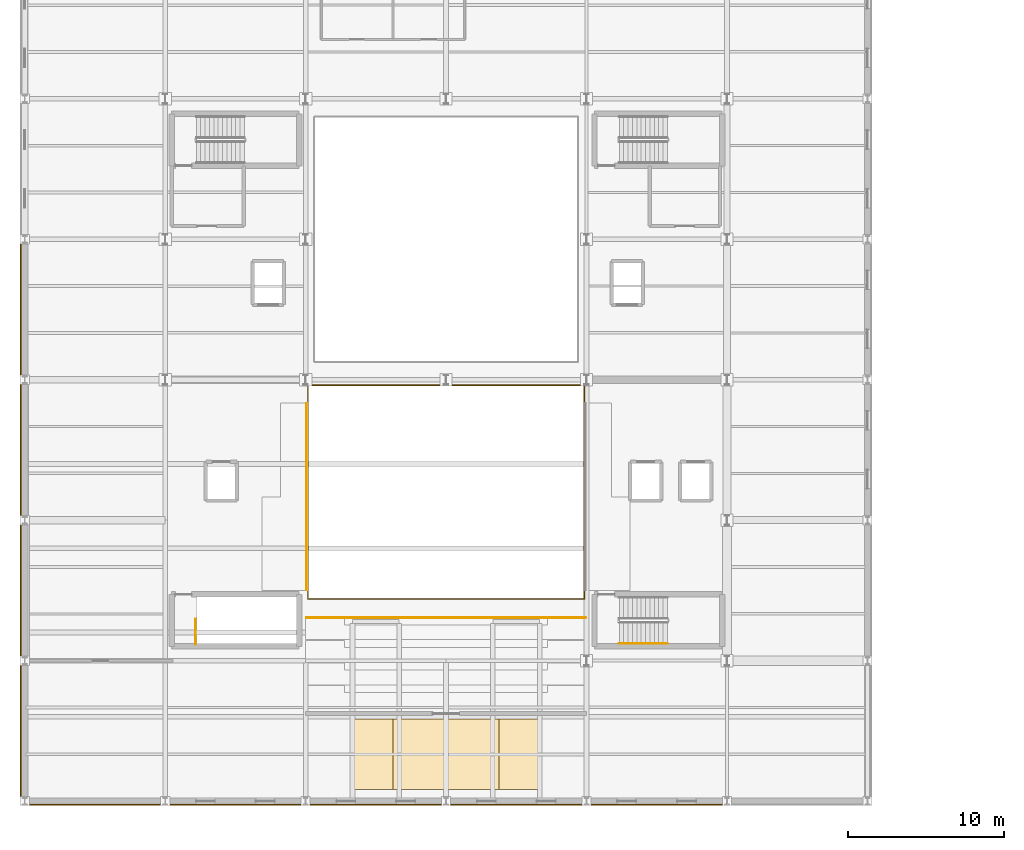
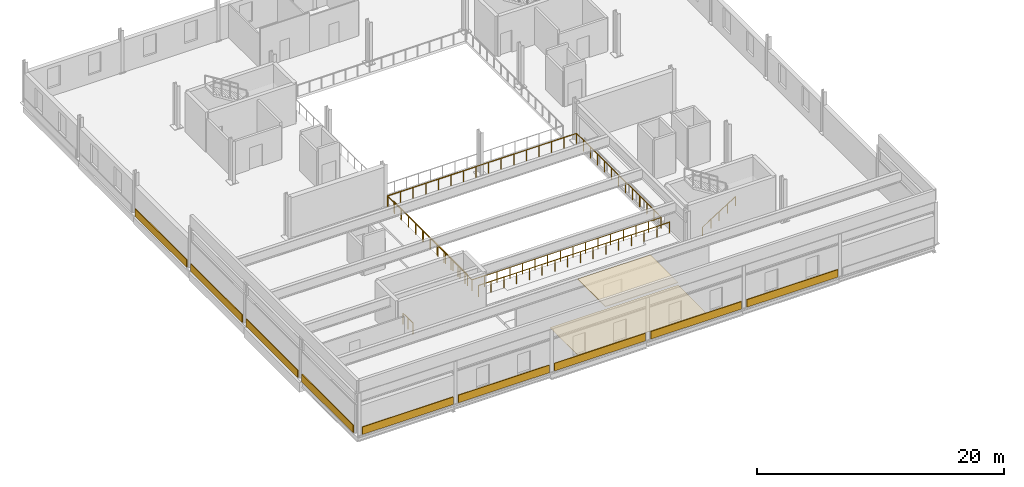
# One storey, part 12 of 17: 11 coverings, 6 railings.
"""IFC4 building model written with IfcOpenShell, lengths in metres."""

from ifc_helpers import new_model, si_unit, direction, frame, origin, origin_2d, place, context, subcontext, project, spatial, rectangle, circle, extrude, material, layer, layer_set, type_object, element, save


model = new_model("IFC4")

# Units and contexts
model_context = context("Model", 3, precision=1e-05, world=origin(), true_north=direction((0.0, 1.0)))
body_context = subcontext(model_context, "Body", "Model", "MODEL_VIEW")
ifc_project = project(units=[si_unit("LENGTHUNIT", "METRE"), si_unit("AREAUNIT", "SQUARE_METRE"), si_unit("VOLUMEUNIT", "CUBIC_METRE"), si_unit("PLANEANGLEUNIT", "RADIAN"), si_unit("MASSUNIT", "GRAM", prefix="KILO")], contexts=[model_context])

# Site, building, storey
site_placement = place(None, origin())
site = spatial("IfcSite", under=ifc_project, at=site_placement, CompositionType="ELEMENT")
building_placement = place(site_placement, origin())
building = spatial("IfcBuilding", under=site, at=building_placement, Name="Sundgate Opera House", CompositionType="ELEMENT")
storey_placement = place(building_placement, frame((0.0, 0.0, 26.39990234375)))
storey = spatial("IfcBuildingStorey", under=building, at=storey_placement, Name="L05", CompositionType="ELEMENT", Elevation=26.39990234375)

# Coverings
ifc_material_1 = material(Name="Suspended timber acoustic baffle ceiling", Category="wood")
ifc_layer_1 = layer(ifc_material_1, 0.06005859375)
ifc_layer_set_1 = layer_set([ifc_layer_1], Name="Suspended timber acoustic baffle ceiling")
covering_type_1 = type_object("IfcCoveringType", Name="CV-CEIL-BAFFLE", PredefinedType="CEILING", material=ifc_layer_set_1)
covering_1_placement = place(storey_placement, frame((54.0, 36.0, 3.880126953125), z_axis=(0.0, 0.0, 1.0), x_axis=(1.0, 0.0, 0.0)))
element("IfcCovering", 1, at=covering_1_placement, inside=storey, type_object=covering_type_1, Name="L05 Acoustic Ceiling CV0135", PredefinedType="CEILING", context=body_context, shape_type="SweptSolid", body=[
    extrude(rectangle(XDim=6.800048828125, YDim=4.5, at=origin_2d()), origin(), (0.0, 0.0, 1.0), 0.06005859375),
])
ifc_material_2 = material(Name="Polished Scanian marble terrazzo flooring", Category="masonry")
ifc_layer_2 = layer(ifc_material_2, 0.02490234375)
ifc_layer_set_2 = layer_set([ifc_layer_2], Name="Polished Scanian marble terrazzo flooring")
covering_type_2 = type_object("IfcCoveringType", Name="CV-FLR-TERRAZZO", PredefinedType="FLOORING", material=ifc_layer_set_2)
covering_2_placement = place(storey_placement, frame((54.0, 36.0, 0.000244140625), z_axis=(0.0, 0.0, 1.0), x_axis=(1.0, 0.0, 0.0)))
element("IfcCovering", 2, at=covering_2_placement, inside=storey, type_object=covering_type_2, Name="L05 Floor Finish CV0147", PredefinedType="FLOORING", context=body_context, shape_type="SweptSolid", body=[
    extrude(rectangle(XDim=12.0, YDim=4.5, at=origin_2d()), origin(), (0.0, 0.0, 1.0), 0.02490234375),
])
ifc_material_3 = material(Name="Deep-carved Komstad limestone relief panel", Category="masonry")
ifc_layer_3 = layer(ifc_material_3, 0.094970703125)
ifc_layer_set_3 = layer_set([ifc_layer_3], Name="Deep-carved Komstad limestone relief panel")
covering_type_3 = type_object("IfcCoveringType", Name="CV-TRENC-DEEP", PredefinedType="CLADDING", material=ifc_layer_set_3)
for number, where, z_axis, x_axis, name in (
    (3, (40.5, 32.757568359375, 0.045166015625), (0.0, 0.0, 1.0), (1.0, 0.0, 0.0), "L05 Trencadis 750mm Relief Band CV0075"),
    (4, (67.5, 32.757568359375, 0.045166015625), (0.0, 0.0, 1.0), (1.0, 0.0, 0.0), "L05 Trencadis 750mm Relief Band CV0081"),
):
    element("IfcCovering", number, at=place(storey_placement, frame(where, z_axis=z_axis, x_axis=x_axis)), inside=storey, type_object=covering_type_3, Name=name, PredefinedType="CLADDING", context=body_context, shape_type="SweptSolid", body=[
        extrude(rectangle(XDim=8.510009765625, YDim=0.074951171875, at=origin_2d()), origin(), (0.0, 0.0, 1.0), 0.75),
    ])
covering_3_placement = place(storey_placement, frame((26.757568359375, 46.5, 0.045166015625), z_axis=(0.0, 0.0, 1.0), x_axis=(0.0, 1.0, 0.0)))
element("IfcCovering", 5, at=covering_3_placement, inside=storey, type_object=covering_type_3, Name="L05 Trencadis 750mm Relief Band CV0087", PredefinedType="CLADDING", context=body_context, shape_type="SweptSolid", body=[
    extrude(rectangle(XDim=8.360107421875, YDim=0.074951171875, at=origin_2d()), origin(), (0.0, 0.0, 1.0), 0.75),
])
ifc_material_4 = material(Name="Frost-proof vitrified stoneware trencadis relief tile", Category="masonry")
ifc_layer_4 = layer(ifc_material_4, 0.074951171875)
ifc_layer_set_4 = layer_set([ifc_layer_4], Name="Frost-proof vitrified stoneware trencadis relief tile")
covering_type_4 = type_object("IfcCoveringType", Name="CV-TRENC-RELIEF", PredefinedType="CLADDING", material=ifc_layer_set_4)
for number, where, z_axis, x_axis, name in (
    (6, (31.5, 32.757568359375, 0.045166015625), (0.0, 0.0, 1.0), (1.0, 0.0, 0.0), "L05 Trencadis 750mm Relief Band CV0073"),
    (7, (58.5, 32.757568359375, 0.045166015625), (0.0, 0.0, 1.0), (1.0, 0.0, 0.0), "L05 Trencadis 750mm Relief Band CV0079"),
):
    element("IfcCovering", number, at=place(storey_placement, frame(where, z_axis=z_axis, x_axis=x_axis)), inside=storey, type_object=covering_type_4, Name=name, PredefinedType="CLADDING", context=body_context, shape_type="SweptSolid", body=[
        extrude(rectangle(XDim=8.510009765625, YDim=0.074951171875, at=origin_2d()), origin(), (0.0, 0.0, 1.0), 0.75),
    ])
for number, where, z_axis, x_axis, name in (
    (8, (26.757568359375, 37.5, 0.045166015625), (0.0, 0.0, 1.0), (0.0, 1.0, 0.0), "L05 Trencadis 750mm Relief Band CV0085"),
    (9, (26.757568359375, 64.5, 0.045166015625), (0.0, 0.0, 1.0), (0.0, 1.0, 0.0), "L05 Trencadis 750mm Relief Band CV0091"),
):
    element("IfcCovering", number, at=place(storey_placement, frame(where, z_axis=z_axis, x_axis=x_axis)), inside=storey, type_object=covering_type_4, Name=name, PredefinedType="CLADDING", context=body_context, shape_type="SweptSolid", body=[
        extrude(rectangle(XDim=8.360107421875, YDim=0.074951171875, at=origin_2d()), origin(), (0.0, 0.0, 1.0), 0.75),
    ])
ifc_material_5 = material(Name="Polychrome trencadis mosaic panel", Category="masonry")
ifc_layer_5 = layer(ifc_material_5, 0.054931640625)
ifc_layer_set_5 = layer_set([ifc_layer_5], Name="Polychrome trencadis mosaic panel")
covering_type_5 = type_object("IfcCoveringType", Name="CV-TRENC-SLIM", PredefinedType="CLADDING", material=ifc_layer_set_5)
covering_4_placement = place(storey_placement, frame((49.5, 32.757568359375, 0.045166015625), z_axis=(0.0, 0.0, 1.0), x_axis=(1.0, 0.0, 0.0)))
element("IfcCovering", 10, at=covering_4_placement, inside=storey, type_object=covering_type_5, Name="L05 Trencadis 750mm Relief Band CV0077", PredefinedType="CLADDING", context=body_context, shape_type="SweptSolid", body=[
    extrude(rectangle(XDim=8.510009765625, YDim=0.074951171875, at=origin_2d()), origin(), (0.0, 0.0, 1.0), 0.75),
])
covering_5_placement = place(storey_placement, frame((26.757568359375, 55.5, 0.045166015625), z_axis=(0.0, 0.0, 1.0), x_axis=(0.0, 1.0, 0.0)))
element("IfcCovering", 11, at=covering_5_placement, inside=storey, type_object=covering_type_5, Name="L05 Trencadis 750mm Relief Band CV0089", PredefinedType="CLADDING", context=body_context, shape_type="SweptSolid", body=[
    extrude(rectangle(XDim=8.360107421875, YDim=0.074951171875, at=origin_2d()), origin(), (0.0, 0.0, 1.0), 0.75),
])

# Railings
ifc_material_6 = material(Name="Patinated bronze forja metalwork", Category="steel")
railing_type_1 = type_object("IfcRailingType", Name="RL-FORJA-BAL-1100", PredefinedType="BALUSTRADE", material=ifc_material_6)
railing_1_placement = place(storey_placement, frame((45.14990234375, 59.64990234375, 0.0)))
element("IfcRailing", 12, at=railing_1_placement, inside=storey, type_object=railing_type_1, Name="L05 Interior Guardrail RL0309", PredefinedType="BALUSTRADE", context=body_context, shape_type="SweptSolid", body=[
    extrude(circle(Radius=0.02392578125, at=origin_2d()), frame((0.0, 0.0, 1.076171875), z_axis=(0.0, -1.0, 0.0), x_axis=(1.0, 0.0, 0.0)), (0.0, 0.0, 1.0), 13.699951171875),
    extrude(circle(Radius=0.02392578125, at=origin_2d()), frame((0.0, -13.699951171875, 1.076171875), z_axis=(1.0, 0.0, 0.0), x_axis=(0.0, 1.0, 0.0)), (0.0, 0.0, 1.0), 17.7001953125),
    extrude(circle(Radius=0.02099609375, at=origin_2d()), origin(), (0.0, 0.0, 1.0), 1.052001953125),
    extrude(circle(Radius=0.02099609375, at=origin_2d()), frame((0.0, -1.1416015625, 0.0)), (0.0, 0.0, 1.0), 1.052001953125),
    extrude(circle(Radius=0.02099609375, at=origin_2d()), frame((0.0, -2.283203125, 0.0)), (0.0, 0.0, 1.0), 1.052001953125),
    extrude(circle(Radius=0.02099609375, at=origin_2d()), frame((0.0, -3.425048828125, 0.0)), (0.0, 0.0, 1.0), 1.052001953125),
    extrude(circle(Radius=0.02099609375, at=origin_2d()), frame((0.0, -4.566650390625, 0.0)), (0.0, 0.0, 1.0), 1.052001953125),
    extrude(circle(Radius=0.02099609375, at=origin_2d()), frame((0.0, -5.708251953125, 0.0)), (0.0, 0.0, 1.0), 1.052001953125),
    extrude(circle(Radius=0.02099609375, at=origin_2d()), frame((0.0, -6.85009765625, 0.0)), (0.0, 0.0, 1.0), 1.052001953125),
    extrude(circle(Radius=0.02099609375, at=origin_2d()), frame((0.0, -7.99169921875, 0.0)), (0.0, 0.0, 1.0), 1.052001953125),
    extrude(circle(Radius=0.02099609375, at=origin_2d()), frame((0.0, -9.13330078125, 0.0)), (0.0, 0.0, 1.0), 1.052001953125),
    extrude(circle(Radius=0.02099609375, at=origin_2d()), frame((0.0, -10.27490234375, 0.0)), (0.0, 0.0, 1.0), 1.052001953125),
    extrude(circle(Radius=0.02099609375, at=origin_2d()), frame((0.0, -11.41650390625, 0.0)), (0.0, 0.0, 1.0), 1.052001953125),
    extrude(circle(Radius=0.02099609375, at=origin_2d()), frame((0.0, -12.558349609375, 0.0)), (0.0, 0.0, 1.0), 1.052001953125),
    extrude(circle(Radius=0.02099609375, at=origin_2d()), frame((0.0, -13.699951171875, 0.0)), (0.0, 0.0, 1.0), 1.052001953125),
    extrude(circle(Radius=0.02099609375, at=origin_2d()), frame((1.179931640625, -13.699951171875, 0.0)), (0.0, 0.0, 1.0), 1.052001953125),
    extrude(circle(Radius=0.02099609375, at=origin_2d()), frame((2.360107421875, -13.699951171875, 0.0)), (0.0, 0.0, 1.0), 1.052001953125),
    extrude(circle(Radius=0.02099609375, at=origin_2d()), frame((3.5400390625, -13.699951171875, 0.0)), (0.0, 0.0, 1.0), 1.052001953125),
    extrude(circle(Radius=0.02099609375, at=origin_2d()), frame((4.719970703125, -13.699951171875, 0.0)), (0.0, 0.0, 1.0), 1.052001953125),
    extrude(circle(Radius=0.02099609375, at=origin_2d()), frame((5.900146484375, -13.699951171875, 0.0)), (0.0, 0.0, 1.0), 1.052001953125),
    extrude(circle(Radius=0.02099609375, at=origin_2d()), frame((7.080078125, -13.699951171875, 0.0)), (0.0, 0.0, 1.0), 1.052001953125),
    extrude(circle(Radius=0.02099609375, at=origin_2d()), frame((8.260009765625, -13.699951171875, 0.0)), (0.0, 0.0, 1.0), 1.052001953125),
    extrude(circle(Radius=0.02099609375, at=origin_2d()), frame((9.440185546875, -13.699951171875, 0.0)), (0.0, 0.0, 1.0), 1.052001953125),
    extrude(circle(Radius=0.02099609375, at=origin_2d()), frame((10.6201171875, -13.699951171875, 0.0)), (0.0, 0.0, 1.0), 1.052001953125),
    extrude(circle(Radius=0.02099609375, at=origin_2d()), frame((11.800048828125, -13.699951171875, 0.0)), (0.0, 0.0, 1.0), 1.052001953125),
    extrude(circle(Radius=0.02099609375, at=origin_2d()), frame((12.980224609375, -13.699951171875, 0.0)), (0.0, 0.0, 1.0), 1.052001953125),
    extrude(circle(Radius=0.02099609375, at=origin_2d()), frame((14.16015625, -13.699951171875, 0.0)), (0.0, 0.0, 1.0), 1.052001953125),
    extrude(circle(Radius=0.02099609375, at=origin_2d()), frame((15.340087890625, -13.699951171875, 0.0)), (0.0, 0.0, 1.0), 1.052001953125),
    extrude(circle(Radius=0.02099609375, at=origin_2d()), frame((16.520263671875, -13.699951171875, 0.0)), (0.0, 0.0, 1.0), 1.052001953125),
    extrude(circle(Radius=0.02099609375, at=origin_2d()), frame((17.7001953125, -13.699951171875, 0.0)), (0.0, 0.0, 1.0), 1.052001953125),
])
railing_2_placement = place(storey_placement, frame((62.85009765625, 46.0, 0.0)))
element("IfcRailing", 13, at=railing_2_placement, inside=storey, type_object=railing_type_1, Name="L05 Interior Guardrail RL0310", PredefinedType="BALUSTRADE", context=body_context, shape_type="SweptSolid", body=[
    extrude(circle(Radius=0.02392578125, at=origin_2d()), frame((0.0, 0.0, 1.076171875), z_axis=(0.0, 1.0, 0.0), x_axis=(-1.0, 0.0, 0.0)), (0.0, 0.0, 1.0), 13.64990234375),
    extrude(circle(Radius=0.02392578125, at=origin_2d()), frame((0.0, 13.64990234375, 1.076171875), z_axis=(-1.0, 0.0, 0.0), x_axis=(0.0, -1.0, 0.0)), (0.0, 0.0, 1.0), 17.650146484375),
    extrude(circle(Radius=0.02099609375, at=origin_2d()), origin(), (0.0, 0.0, 1.0), 1.052001953125),
    extrude(circle(Radius=0.02099609375, at=origin_2d()), frame((0.0, 1.137451171875, 0.0)), (0.0, 0.0, 1.0), 1.052001953125),
    extrude(circle(Radius=0.02099609375, at=origin_2d()), frame((0.0, 2.27490234375, 0.0)), (0.0, 0.0, 1.0), 1.052001953125),
    extrude(circle(Radius=0.02099609375, at=origin_2d()), frame((0.0, 3.41259765625, 0.0)), (0.0, 0.0, 1.0), 1.052001953125),
    extrude(circle(Radius=0.02099609375, at=origin_2d()), frame((0.0, 4.550048828125, 0.0)), (0.0, 0.0, 1.0), 1.052001953125),
    extrude(circle(Radius=0.02099609375, at=origin_2d()), frame((0.0, 5.6875, 0.0)), (0.0, 0.0, 1.0), 1.052001953125),
    extrude(circle(Radius=0.02099609375, at=origin_2d()), frame((0.0, 6.824951171875, 0.0)), (0.0, 0.0, 1.0), 1.052001953125),
    extrude(circle(Radius=0.02099609375, at=origin_2d()), frame((0.0, 7.96240234375, 0.0)), (0.0, 0.0, 1.0), 1.052001953125),
    extrude(circle(Radius=0.02099609375, at=origin_2d()), frame((0.0, 9.099853515625, 0.0)), (0.0, 0.0, 1.0), 1.052001953125),
    extrude(circle(Radius=0.02099609375, at=origin_2d()), frame((0.0, 10.2373046875, 0.0)), (0.0, 0.0, 1.0), 1.052001953125),
    extrude(circle(Radius=0.02099609375, at=origin_2d()), frame((0.0, 11.375, 0.0)), (0.0, 0.0, 1.0), 1.052001953125),
    extrude(circle(Radius=0.02099609375, at=origin_2d()), frame((0.0, 12.512451171875, 0.0)), (0.0, 0.0, 1.0), 1.052001953125),
    extrude(circle(Radius=0.02099609375, at=origin_2d()), frame((0.0, 13.64990234375, 0.0)), (0.0, 0.0, 1.0), 1.052001953125),
    extrude(circle(Radius=0.02099609375, at=origin_2d()), frame((-1.1767578125, 13.64990234375, 0.0)), (0.0, 0.0, 1.0), 1.052001953125),
    extrude(circle(Radius=0.02099609375, at=origin_2d()), frame((-2.353271484375, 13.64990234375, 0.0)), (0.0, 0.0, 1.0), 1.052001953125),
    extrude(circle(Radius=0.02099609375, at=origin_2d()), frame((-3.530029296875, 13.64990234375, 0.0)), (0.0, 0.0, 1.0), 1.052001953125),
    extrude(circle(Radius=0.02099609375, at=origin_2d()), frame((-4.706787109375, 13.64990234375, 0.0)), (0.0, 0.0, 1.0), 1.052001953125),
    extrude(circle(Radius=0.02099609375, at=origin_2d()), frame((-5.88330078125, 13.64990234375, 0.0)), (0.0, 0.0, 1.0), 1.052001953125),
    extrude(circle(Radius=0.02099609375, at=origin_2d()), frame((-7.06005859375, 13.64990234375, 0.0)), (0.0, 0.0, 1.0), 1.052001953125),
    extrude(circle(Radius=0.02099609375, at=origin_2d()), frame((-8.23681640625, 13.64990234375, 0.0)), (0.0, 0.0, 1.0), 1.052001953125),
    extrude(circle(Radius=0.02099609375, at=origin_2d()), frame((-9.413330078125, 13.64990234375, 0.0)), (0.0, 0.0, 1.0), 1.052001953125),
    extrude(circle(Radius=0.02099609375, at=origin_2d()), frame((-10.590087890625, 13.64990234375, 0.0)), (0.0, 0.0, 1.0), 1.052001953125),
    extrude(circle(Radius=0.02099609375, at=origin_2d()), frame((-11.766845703125, 13.64990234375, 0.0)), (0.0, 0.0, 1.0), 1.052001953125),
    extrude(circle(Radius=0.02099609375, at=origin_2d()), frame((-12.943359375, 13.64990234375, 0.0)), (0.0, 0.0, 1.0), 1.052001953125),
    extrude(circle(Radius=0.02099609375, at=origin_2d()), frame((-14.1201171875, 13.64990234375, 0.0)), (0.0, 0.0, 1.0), 1.052001953125),
    extrude(circle(Radius=0.02099609375, at=origin_2d()), frame((-15.296875, 13.64990234375, 0.0)), (0.0, 0.0, 1.0), 1.052001953125),
    extrude(circle(Radius=0.02099609375, at=origin_2d()), frame((-16.473388671875, 13.64990234375, 0.0)), (0.0, 0.0, 1.0), 1.052001953125),
    extrude(circle(Radius=0.02099609375, at=origin_2d()), frame((-17.650146484375, 13.64990234375, 0.0)), (0.0, 0.0, 1.0), 1.052001953125),
])
railing_3_placement = place(storey_placement, frame((45.050048828125, 44.75, 0.2001953125)))
element("IfcRailing", 14, at=railing_3_placement, inside=storey, type_object=railing_type_1, Name="L05 Interior Guardrail RL0311", PredefinedType="BALUSTRADE", context=body_context, shape_type="SweptSolid", body=[
    extrude(circle(Radius=0.02392578125, at=origin_2d()), frame((0.0, 0.0, 1.076171875), z_axis=(1.0, 0.0, 0.0), x_axis=(0.0, 1.0, 0.0)), (0.0, 0.0, 1.0), 17.89990234375),
    extrude(circle(Radius=0.02099609375, at=origin_2d()), origin(), (0.0, 0.0, 1.0), 1.052001953125),
    extrude(circle(Radius=0.02099609375, at=origin_2d()), frame((1.193359375, 0.0, 0.0)), (0.0, 0.0, 1.0), 1.052001953125),
    extrude(circle(Radius=0.02099609375, at=origin_2d()), frame((2.38671875, 0.0, 0.0)), (0.0, 0.0, 1.0), 1.052001953125),
    extrude(circle(Radius=0.02099609375, at=origin_2d()), frame((3.580078125, 0.0, 0.0)), (0.0, 0.0, 1.0), 1.052001953125),
    extrude(circle(Radius=0.02099609375, at=origin_2d()), frame((4.773193359375, 0.0, 0.0)), (0.0, 0.0, 1.0), 1.052001953125),
    extrude(circle(Radius=0.02099609375, at=origin_2d()), frame((5.966552734375, 0.0, 0.0)), (0.0, 0.0, 1.0), 1.052001953125),
    extrude(circle(Radius=0.02099609375, at=origin_2d()), frame((7.159912109375, 0.0, 0.0)), (0.0, 0.0, 1.0), 1.052001953125),
    extrude(circle(Radius=0.02099609375, at=origin_2d()), frame((8.353271484375, 0.0, 0.0)), (0.0, 0.0, 1.0), 1.052001953125),
    extrude(circle(Radius=0.02099609375, at=origin_2d()), frame((9.546630859375, 0.0, 0.0)), (0.0, 0.0, 1.0), 1.052001953125),
    extrude(circle(Radius=0.02099609375, at=origin_2d()), frame((10.739990234375, 0.0, 0.0)), (0.0, 0.0, 1.0), 1.052001953125),
    extrude(circle(Radius=0.02099609375, at=origin_2d()), frame((11.933349609375, 0.0, 0.0)), (0.0, 0.0, 1.0), 1.052001953125),
    extrude(circle(Radius=0.02099609375, at=origin_2d()), frame((13.126708984375, 0.0, 0.0)), (0.0, 0.0, 1.0), 1.052001953125),
    extrude(circle(Radius=0.02099609375, at=origin_2d()), frame((14.31982421875, 0.0, 0.0)), (0.0, 0.0, 1.0), 1.052001953125),
    extrude(circle(Radius=0.02099609375, at=origin_2d()), frame((15.51318359375, 0.0, 0.0)), (0.0, 0.0, 1.0), 1.052001953125),
    extrude(circle(Radius=0.02099609375, at=origin_2d()), frame((16.70654296875, 0.0, 0.0)), (0.0, 0.0, 1.0), 1.052001953125),
    extrude(circle(Radius=0.02099609375, at=origin_2d()), frame((17.89990234375, 0.0, 0.0)), (0.0, 0.0, 1.0), 1.052001953125),
])
railing_4_placement = place(storey_placement, frame((45.06005859375, 46.52001953125, 0.205078125)))
element("IfcRailing", 15, at=railing_4_placement, inside=storey, type_object=railing_type_1, Name="L05 West Opera Box Tier Balustrade RL0322", PredefinedType="BALUSTRADE", context=body_context, shape_type="SweptSolid", body=[
    extrude(circle(Radius=0.02392578125, at=origin_2d()), frame((0.0, 0.0, 1.09619140625), z_axis=(0.0, 1.0, 0.0), x_axis=(-1.0, 0.0, 0.0)), (0.0, 0.0, 1.0), 11.9599609375),
    extrude(circle(Radius=0.02099609375, at=origin_2d()), origin(), (0.0, 0.0, 1.0), 1.072021484375),
    extrude(circle(Radius=0.02099609375, at=origin_2d()), frame((0.0, 1.196044921875, 0.0)), (0.0, 0.0, 1.0), 1.072021484375),
    extrude(circle(Radius=0.02099609375, at=origin_2d()), frame((0.0, 2.39208984375, 0.0)), (0.0, 0.0, 1.0), 1.072021484375),
    extrude(circle(Radius=0.02099609375, at=origin_2d()), frame((0.0, 3.587890625, 0.0)), (0.0, 0.0, 1.0), 1.072021484375),
    extrude(circle(Radius=0.02099609375, at=origin_2d()), frame((0.0, 4.783935546875, 0.0)), (0.0, 0.0, 1.0), 1.072021484375),
    extrude(circle(Radius=0.02099609375, at=origin_2d()), frame((0.0, 5.97998046875, 0.0)), (0.0, 0.0, 1.0), 1.072021484375),
    extrude(circle(Radius=0.02099609375, at=origin_2d()), frame((0.0, 7.176025390625, 0.0)), (0.0, 0.0, 1.0), 1.072021484375),
    extrude(circle(Radius=0.02099609375, at=origin_2d()), frame((0.0, 8.3720703125, 0.0)), (0.0, 0.0, 1.0), 1.072021484375),
    extrude(circle(Radius=0.02099609375, at=origin_2d()), frame((0.0, 9.56787109375, 0.0)), (0.0, 0.0, 1.0), 1.072021484375),
    extrude(circle(Radius=0.02099609375, at=origin_2d()), frame((0.0, 10.763916015625, 0.0)), (0.0, 0.0, 1.0), 1.072021484375),
    extrude(circle(Radius=0.02099609375, at=origin_2d()), frame((0.0, 11.9599609375, 0.0)), (0.0, 0.0, 1.0), 1.072021484375),
])
ifc_material_7 = material(Name="Painted steel S275 guardrail", Category="steel")
railing_type_2 = type_object("IfcRailingType", Name="RL-STAIR-GUARD-1100", PredefinedType="GUARDRAIL", material=ifc_material_7)
railing_5_placement = place(storey_placement, frame((37.949951171875, 43.050048828125, 0.0)))
element("IfcRailing", 16, at=railing_5_placement, inside=storey, type_object=railing_type_2, Name="ST-01 Top Well Guardrail RL0046", PredefinedType="GUARDRAIL", context=body_context, shape_type="SweptSolid", body=[
    extrude(circle(Radius=0.02392578125, at=origin_2d()), frame((0.0, 0.0, 1.076171875), z_axis=(0.0, 1.0, 0.0), x_axis=(-1.0, 0.0, 0.0)), (0.0, 0.0, 1.0), 1.599853515625),
    extrude(circle(Radius=0.02099609375, at=origin_2d()), origin(), (0.0, 0.0, 1.0), 1.052001953125),
    extrude(circle(Radius=0.02099609375, at=origin_2d()), frame((0.0, 0.7998046875, 0.0)), (0.0, 0.0, 1.0), 1.052001953125),
    extrude(circle(Radius=0.02099609375, at=origin_2d()), frame((0.0, 1.599853515625, 0.0)), (0.0, 0.0, 1.0), 1.052001953125),
])
ifc_material_8 = material(Name="Brushed stainless steel handrail", Category="steel")
railing_type_3 = type_object("IfcRailingType", Name="RL-STAIR-HAND-900", PredefinedType="HANDRAIL", material=ifc_material_8)
railing_6_placement = place(storey_placement, frame((65.10009765625, 43.10009765625, 0.175048828125)))
element("IfcRailing", 17, at=railing_6_placement, inside=storey, type_object=railing_type_3, Name="ST03L05 Handrail RL0130", PredefinedType="HANDRAIL", context=body_context, shape_type="SweptSolid", body=[
    extrude(circle(Radius=0.02392578125, at=origin_2d()), frame((0.0, 0.0, 0.8759765625), z_axis=(0.847979421464, 0.0, 0.530029150871), x_axis=(0.0, 1.0, 0.0)), (0.0, 0.0, 1.0), 3.632080078125),
    extrude(circle(Radius=0.02099609375, at=origin_2d()), origin(), (0.0, 0.0, 1.0), 0.851806640625),
    extrude(circle(Radius=0.02099609375, at=origin_2d()), frame((0.77001953125, 0.0, 0.481201171875)), (0.0, 0.0, 1.0), 0.851806640625),
    extrude(circle(Radius=0.02099609375, at=origin_2d()), frame((1.5400390625, 0.0, 0.96240234375)), (0.0, 0.0, 1.0), 0.851806640625),
    extrude(circle(Radius=0.02099609375, at=origin_2d()), frame((2.309814453125, 0.0, 1.44384765625)), (0.0, 0.0, 1.0), 0.851806640625),
    extrude(circle(Radius=0.02099609375, at=origin_2d()), frame((3.079833984375, 0.0, 1.925048828125)), (0.0, 0.0, 1.0), 0.851806640625),
])

save(model, "model.ifc")
